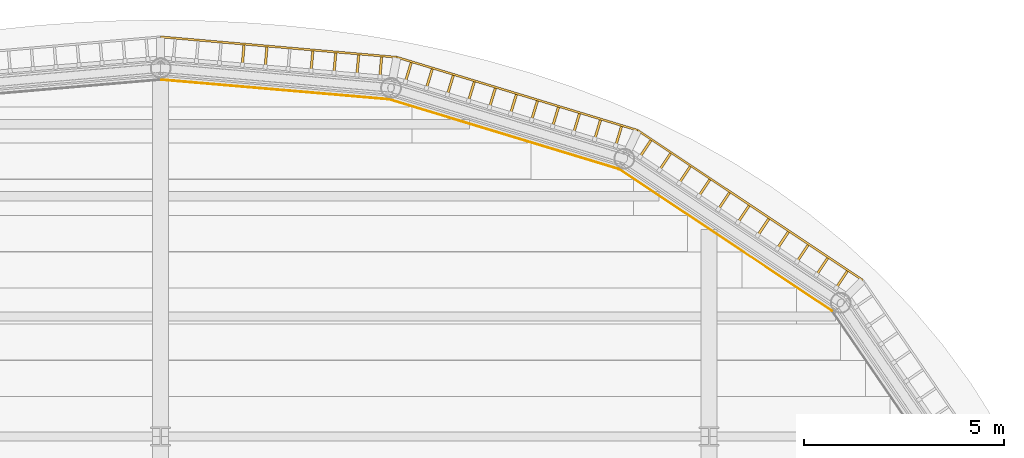
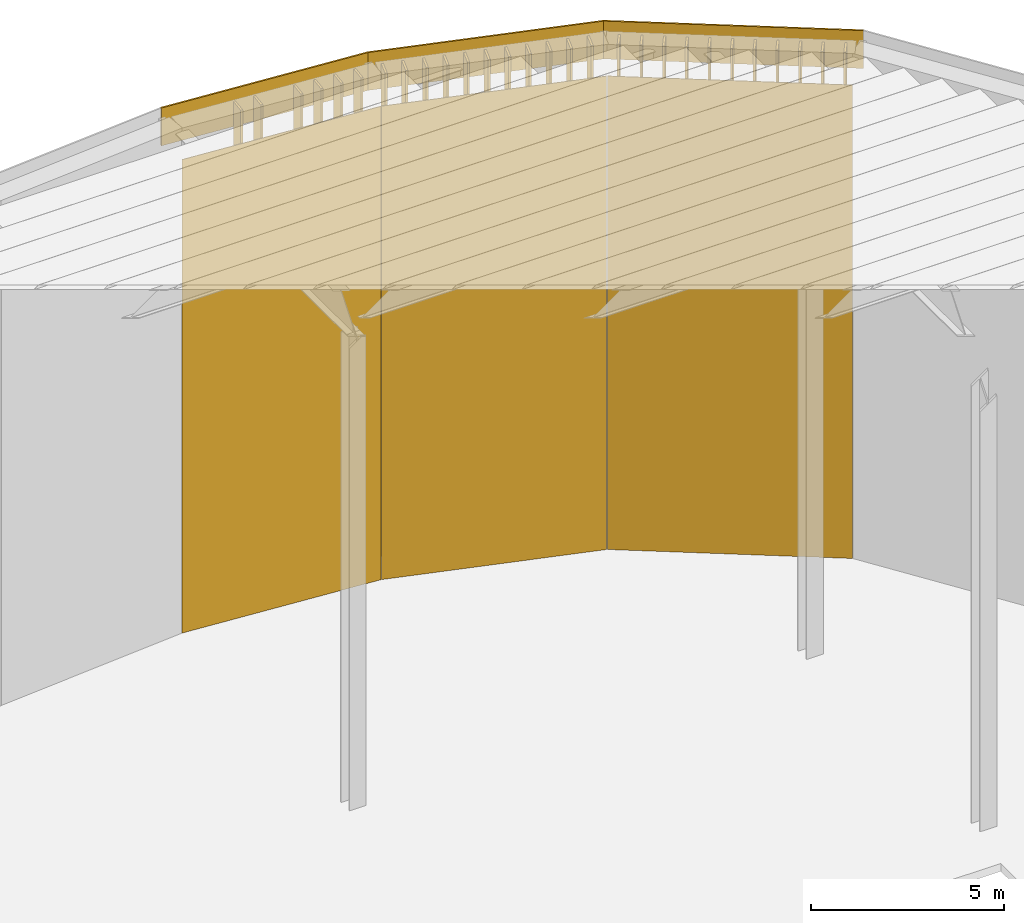
# One storey, part 11 of 11: 28 shading devices, 6 coverings.
"""IFC4 building model written with IfcOpenShell, lengths in metres."""

from ifc_helpers import new_model, si_unit, direction, frame, origin, origin_2d, place, context, subcontext, project, spatial, rectangle, extrude, material, layer, layer_set, type_object, element, save


model = new_model("IFC4")

# Units and contexts
model_context = context("Model", 3, precision=1e-05, world=origin(), true_north=direction((0.0, 1.0)))
body_context = subcontext(model_context, "Body", "Model", "MODEL_VIEW")
ifc_project = project(units=[si_unit("LENGTHUNIT", "METRE"), si_unit("AREAUNIT", "SQUARE_METRE"), si_unit("VOLUMEUNIT", "CUBIC_METRE"), si_unit("PLANEANGLEUNIT", "RADIAN"), si_unit("MASSUNIT", "GRAM", prefix="KILO")], contexts=[model_context])

# Site, building, storey
site_placement = place(None, origin())
site = spatial("IfcSite", under=ifc_project, at=site_placement, CompositionType="ELEMENT")
building_placement = place(site_placement, origin())
building = spatial("IfcBuilding", under=site, at=building_placement, Name="Marramba Exchange Tower", CompositionType="ELEMENT")
storey_placement = place(building_placement, frame((0.0, 0.0, 282.0)))
storey = spatial("IfcBuildingStorey", under=building, at=storey_placement, Name="Roof crown", CompositionType="ELEMENT", Elevation=282.0)

# Shading devices
ifc_material_1 = material(Name="Aluminium fin, bronze anodised", Category="aluminium")
ifc_layer_1 = layer(ifc_material_1, 0.06005859375)
ifc_layer_set_1 = layer_set([ifc_layer_1], Name="CROWN SCREEN FIN 450x60")
shading_device_type = type_object("IfcShadingDeviceType", Name="CROWN SCREEN FIN 450x60", PredefinedType="USERDEFINED", material=ifc_layer_set_1)
for number, where, z_axis, x_axis, name in (
    (1, (17.027099609375, 12.944091796875, 0.0), (0.0, 0.0, 1.0), (0.554341835435, 0.832289090092, 0.0), "Crown screen fin CS1 bay 03 fin 01"),
    (2, (16.53662109375, 13.270751953125, 0.0), (0.0, 0.0, 1.0), (0.554341835435, 0.832289090092, 0.0), "Crown screen fin CS1 bay 03 fin 02"),
    (3, (16.046142578125, 13.597412109375, 0.0), (0.0, 0.0, 1.0), (0.554341835435, 0.832289090092, 0.0), "Crown screen fin CS1 bay 03 fin 03"),
    (4, (15.5556640625, 13.924072265625, 0.0), (0.0, 0.0, 1.0), (0.554341835435, 0.832289090092, 0.0), "Crown screen fin CS1 bay 03 fin 04"),
    (5, (15.065185546875, 14.2509765625, 0.0), (0.0, 0.0, 1.0), (0.554341835435, 0.832289090092, 0.0), "Crown screen fin CS1 bay 03 fin 05"),
    (6, (14.574462890625, 14.57763671875, 0.0), (0.0, 0.0, 1.0), (0.554341835435, 0.832289090092, 0.0), "Crown screen fin CS1 bay 03 fin 06"),
    (7, (14.083984375, 14.904296875, 0.0), (0.0, 0.0, 1.0), (0.554341835435, 0.832289090092, 0.0), "Crown screen fin CS1 bay 03 fin 07"),
    (8, (13.593505859375, 15.23095703125, 0.0), (0.0, 0.0, 1.0), (0.554341835435, 0.832289090092, 0.0), "Crown screen fin CS1 bay 03 fin 08"),
    (9, (13.10302734375, 15.5576171875, 0.0), (0.0, 0.0, 1.0), (0.554341835435, 0.832289090092, 0.0), "Crown screen fin CS1 bay 03 fin 09"),
    (10, (12.612548828125, 15.88427734375, 0.0), (0.0, 0.0, 1.0), (0.554341835435, 0.832289090092, 0.0), "Crown screen fin CS1 bay 03 fin 10"),
    (11, (12.1220703125, 16.2109375, 0.0), (0.0, 0.0, 1.0), (0.554341835435, 0.832289090092, 0.0), "Crown screen fin CS1 bay 03 fin 11"),
    (12, (11.44677734375, 16.52978515625, 0.0), (0.0, 0.0, 1.0), (0.29035153369, 0.956920052504, 0.0), "Crown screen fin CS1 bay 04 fin 01"),
    (13, (10.92138671875, 16.689208984375, 0.0), (0.0, 0.0, 1.0), (0.29035153369, 0.956920052504, 0.0), "Crown screen fin CS1 bay 04 fin 02"),
    (14, (10.39599609375, 16.8486328125, 0.0), (0.0, 0.0, 1.0), (0.29035153369, 0.956920052504, 0.0), "Crown screen fin CS1 bay 04 fin 03"),
    (15, (9.87060546875, 17.008056640625, 0.0), (0.0, 0.0, 1.0), (0.29035153369, 0.956920052504, 0.0), "Crown screen fin CS1 bay 04 fin 04"),
    (16, (9.345458984375, 17.16748046875, 0.0), (0.0, 0.0, 1.0), (0.29035153369, 0.956920052504, 0.0), "Crown screen fin CS1 bay 04 fin 05"),
    (17, (8.820068359375, 17.326904296875, 0.0), (0.0, 0.0, 1.0), (0.29035153369, 0.956920052504, 0.0), "Crown screen fin CS1 bay 04 fin 06"),
    (18, (8.294677734375, 17.486328125, 0.0), (0.0, 0.0, 1.0), (0.29035153369, 0.956920052504, 0.0), "Crown screen fin CS1 bay 04 fin 07"),
    (19, (7.769287109375, 17.645751953125, 0.0), (0.0, 0.0, 1.0), (0.29035153369, 0.956920052504, 0.0), "Crown screen fin CS1 bay 04 fin 08"),
    (20, (7.244140625, 17.80517578125, 0.0), (0.0, 0.0, 1.0), (0.29035153369, 0.956920052504, 0.0), "Crown screen fin CS1 bay 04 fin 09"),
    (21, (6.71875, 17.96435546875, 0.0), (0.0, 0.0, 1.0), (0.29035153369, 0.956920052504, 0.0), "Crown screen fin CS1 bay 04 fin 10"),
    (22, (6.193359375, 18.123779296875, 0.0), (0.0, 0.0, 1.0), (0.29035153369, 0.956920052504, 0.0), "Crown screen fin CS1 bay 04 fin 11"),
    (23, (5.5, 18.25732421875, 0.0), (0.0, 0.0, 1.0), (0.085783296854, 0.996313819025, 0.0), "Crown screen fin CS1 bay 05 fin 01"),
    (24, (4.927001953125, 18.306640625, 0.0), (0.0, 0.0, 1.0), (0.085783296854, 0.996313819025, 0.0), "Crown screen fin CS1 bay 05 fin 02"),
    (25, (4.354248046875, 18.35595703125, 0.0), (0.0, 0.0, 1.0), (0.085783296854, 0.996313819025, 0.0), "Crown screen fin CS1 bay 05 fin 03"),
    (26, (3.78125, 18.4052734375, 0.0), (0.0, 0.0, 1.0), (0.085783296854, 0.996313819025, 0.0), "Crown screen fin CS1 bay 05 fin 04"),
    (27, (2.635498046875, 18.50390625, 0.0), (0.0, 0.0, 1.0), (0.085783296854, 0.996313819025, 0.0), "Crown screen fin CS1 bay 05 fin 06"),
    (28, (2.062744140625, 18.553466796875, 0.0), (0.0, 0.0, 1.0), (0.085783296854, 0.996313819025, 0.0), "Crown screen fin CS1 bay 05 fin 07"),
):
    element("IfcShadingDevice", number, at=place(storey_placement, frame(where, z_axis=z_axis, x_axis=x_axis)), inside=storey, type_object=shading_device_type, Name=name, ObjectType="FIN", PredefinedType="USERDEFINED", context=body_context, shape_type="SweptSolid", body=[
        extrude(rectangle(XDim=0.449951171875, YDim=0.06005859375, at=origin_2d()), origin(), (0.0, 0.0, 1.0), 15.60009765625),
    ])

# Coverings
ifc_material_2 = material(Name="Stainless steel woven mesh, bronze finish", Category="steel")
ifc_layer_2 = layer(ifc_material_2, 0.02001953125)
ifc_layer_set_2 = layer_set([ifc_layer_2], Name="CROWN SCREEN MESH")
covering_type_1 = type_object("IfcCoveringType", Name="CROWN SCREEN MESH", PredefinedType="USERDEFINED", material=ifc_layer_set_2)
covering_1_placement = place(storey_placement, frame((14.1171875, 13.903076171875, 0.0), z_axis=(0.0, 0.0, 1.0), x_axis=(-0.832289090092, 0.554341835435, 0.0)))
element("IfcCovering", 29, at=covering_1_placement, inside=storey, type_object=covering_type_1, Name="Crown screen mesh CM1 bay 03", ObjectType="SCREEN", PredefinedType="USERDEFINED", context=body_context, shape_type="SweptSolid", body=[
    extrude(rectangle(XDim=6.37451171875, YDim=0.02001953125, at=origin_2d()), origin(), (0.0, 0.0, 1.0), 15.0),
])
covering_2_placement = place(storey_placement, frame((8.577392578125, 16.548828125, 0.0), z_axis=(0.0, 0.0, 1.0), x_axis=(-0.956920052504, 0.29035153369, 0.0)))
element("IfcCovering", 30, at=covering_2_placement, inside=storey, type_object=covering_type_1, Name="Crown screen mesh CM1 bay 04", ObjectType="SCREEN", PredefinedType="USERDEFINED", context=body_context, shape_type="SweptSolid", body=[
    extrude(rectangle(XDim=5.99658203125, YDim=0.02001953125, at=origin_2d()), origin(), (0.0, 0.0, 1.0), 15.0),
])
covering_3_placement = place(storey_placement, frame((2.849365234375, 17.66748046875, 0.0), z_axis=(0.0, 0.0, 1.0), x_axis=(-0.996313819025, 0.085783296854, 0.0)))
element("IfcCovering", 31, at=covering_3_placement, inside=storey, type_object=covering_type_1, Name="Crown screen mesh CM1 bay 05", ObjectType="SCREEN", PredefinedType="USERDEFINED", context=body_context, shape_type="SweptSolid", body=[
    extrude(rectangle(XDim=5.69970703125, YDim=0.02001953125, at=origin_2d()), origin(), (0.0, 0.0, 1.0), 15.0),
])
ifc_material_3 = material(Name="Aluminium plate panel, bronze anodised", Category="aluminium")
ifc_layer_3 = layer(ifc_material_3, 0.050048828125)
ifc_layer_set_3 = layer_set([ifc_layer_3], Name="Crown cap panel 1200")
covering_type_2 = type_object("IfcCoveringType", Name="Crown cap panel 1200", PredefinedType="CLADDING", material=ifc_layer_set_3)
covering_4_placement = place(storey_placement, frame((14.72802734375, 14.775634765625, 14.7998046875), z_axis=(0.0, 0.0, 1.0), x_axis=(-0.832289090092, 0.554341835435, 0.0)))
element("IfcCovering", 32, at=covering_4_placement, inside=storey, type_object=covering_type_2, Name="Crown cap panel CP1 bay 03", PredefinedType="CLADDING", context=body_context, shape_type="SweptSolid", body=[
    extrude(rectangle(XDim=6.7578125, YDim=0.050048828125, at=origin_2d()), origin(), (0.0, 0.0, 1.0), 1.199951171875),
])
covering_5_placement = place(storey_placement, frame((8.908447265625, 17.561279296875, 14.7998046875), z_axis=(0.0, 0.0, 1.0), x_axis=(-0.956920052504, 0.29035153369, 0.0)))
element("IfcCovering", 33, at=covering_5_placement, inside=storey, type_object=covering_type_2, Name="Crown cap panel CP1 bay 04", PredefinedType="CLADDING", context=body_context, shape_type="SweptSolid", body=[
    extrude(rectangle(XDim=6.285400390625, YDim=0.050048828125, at=origin_2d()), origin(), (0.0, 0.0, 1.0), 1.199951171875),
])
covering_6_placement = place(storey_placement, frame((2.95068359375, 18.727783203125, 14.7998046875), z_axis=(0.0, 0.0, 1.0), x_axis=(-0.996313819025, 0.085783296854, 0.0)))
element("IfcCovering", 34, at=covering_6_placement, inside=storey, type_object=covering_type_2, Name="Crown cap panel CP1 bay 05", PredefinedType="CLADDING", context=body_context, shape_type="SweptSolid", body=[
    extrude(rectangle(XDim=5.923095703125, YDim=0.050048828125, at=origin_2d()), origin(), (0.0, 0.0, 1.0), 1.199951171875),
])

save(model, "model.ifc")
